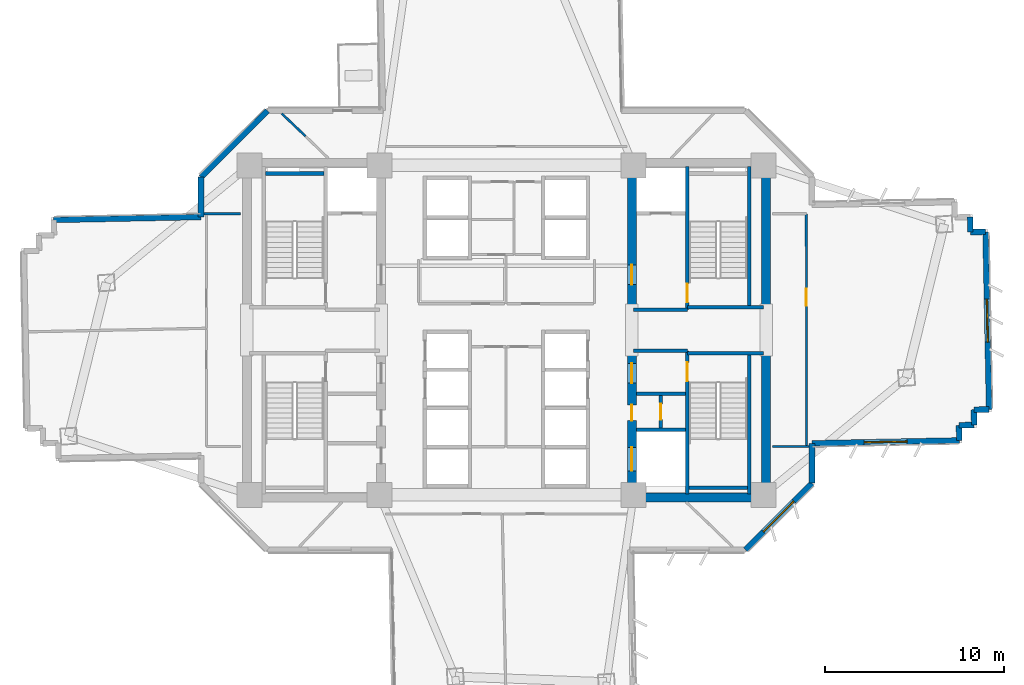
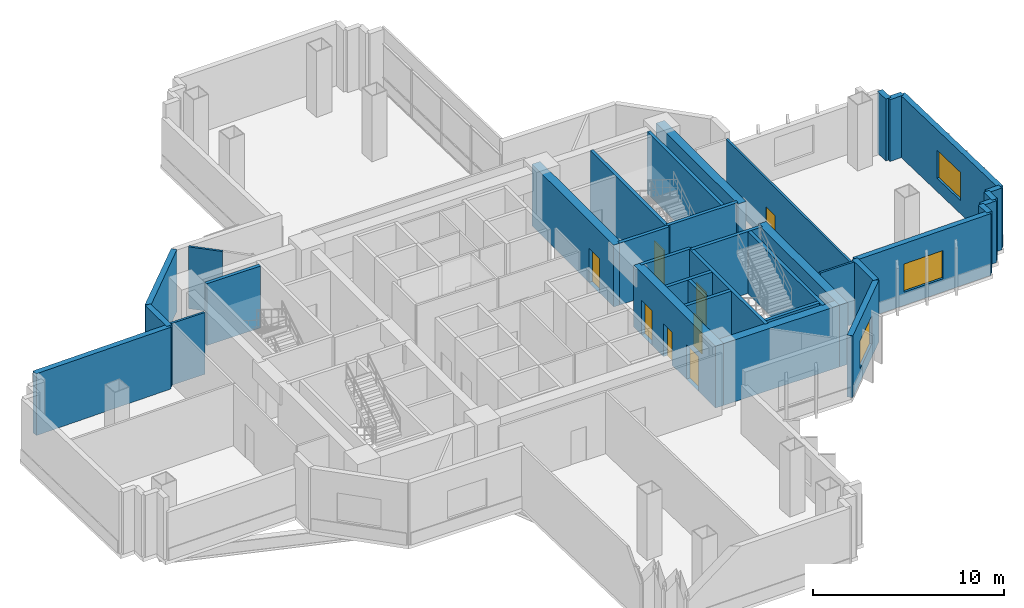
# One storey, part 8 of 15: 35 walls, 8 doors, 3 windows, 11 openings.
"""IFC4 building model written with IfcOpenShell, lengths in metres."""

from ifc_helpers import new_model, si_unit, direction, frame, frame_2d, origin, place, context, subcontext, project, spatial, rectangle, extrude, source, transform, mapped, material, layer, layer_set, type_object, element, fill, save


model = new_model("IFC4")

# Units and contexts
model_context = context("Model", 3, precision=1e-05, world=origin(), true_north=direction((0.0, 1.0)))
body_context = subcontext(model_context, "Body", "Model", "MODEL_VIEW")
ifc_project = project(units=[si_unit("LENGTHUNIT", "METRE"), si_unit("AREAUNIT", "SQUARE_METRE"), si_unit("VOLUMEUNIT", "CUBIC_METRE"), si_unit("PLANEANGLEUNIT", "RADIAN"), si_unit("MASSUNIT", "GRAM", prefix="KILO")], contexts=[model_context])

# Site, building, storey
site_placement = place(None, origin())
site = spatial("IfcSite", under=ifc_project, at=site_placement, CompositionType="ELEMENT")
building_placement = place(site_placement, origin())
building = spatial("IfcBuilding", under=site, at=building_placement, Name="Zahravan Cultural Tower", CompositionType="ELEMENT")
storey_placement = place(building_placement, frame((0.0, 0.0, 45.89990234375)))
storey = spatial("IfcBuildingStorey", under=building, at=storey_placement, Name="L09", CompositionType="ELEMENT", Elevation=45.89990234375)

# Wall, openings, doors
ifc_material_1 = material(Name="Concrete C60/75", Category="concrete")
ifc_layer_1 = layer(ifc_material_1, 0.5)
ifc_layer_set_1 = layer_set([ifc_layer_1], Name="Concrete C60/75")
wall_type_1 = type_object("IfcWallType", Name="CW-SHEAR-500-C60", PredefinedType="SHEAR", material=ifc_layer_set_1)
wall_1_placement = place(storey_placement, frame((43.0, 17.39990234375, 0.0), z_axis=(0.0, 0.0, 1.0), x_axis=(0.0, 1.0, 0.0)))
wall_1 = element("IfcWall", 1, at=wall_1_placement, inside=storey, type_object=wall_type_1, Name="L09 Core Shear Wall CW-E-WS-L09", PredefinedType="SHEAR", context=body_context, shape_type="SweptSolid", body=[
    extrude(rectangle(XDim=8.550048828125, YDim=0.5, at=frame_2d((4.27490234375, 0.0))), origin(), (0.0, 0.0, 1.0), 3.9501953125),
])
opening_1_placement = place(wall_1_placement, frame((6.64990234375, 0.0, 0.0)))
opening_1 = element("IfcOpeningElement", 2, at=opening_1_placement, cuts=wall_1, Name="Opening D-L09-08", PredefinedType="OPENING", context=body_context, shape_type="SweptSolid", body=[
    extrude(rectangle(XDim=1.10009765625, YDim=2.199951171875, at=frame_2d((0.550048828125, 1.10009765625))), frame((0.0, 0.260009765625, 0.0), z_axis=(0.0, -1.0, 0.0), x_axis=(1.0, 0.0, 0.0)), (0.0, 0.0, 1.0), 0.52001953125),
])
opening_2_placement = place(wall_1_placement, frame((1.75, 0.0, 0.0)))
opening_2 = element("IfcOpeningElement", 3, at=opening_2_placement, cuts=wall_1, Name="Opening LD-L09-03", PredefinedType="OPENING", context=body_context, shape_type="SweptSolid", body=[
    extrude(rectangle(XDim=1.300048828125, YDim=2.199951171875, at=frame_2d((0.64990234375, 1.10009765625))), frame((0.0, 0.260009765625, 0.0), z_axis=(0.0, -1.0, 0.0), x_axis=(1.0, 0.0, 0.0)), (0.0, 0.0, 1.0), 0.52001953125),
])
opening_3_placement = place(wall_1_placement, frame((4.550048828125, 0.0, 0.0)))
opening_3 = element("IfcOpeningElement", 4, at=opening_3_placement, cuts=wall_1, Name="Opening D-L09-11", PredefinedType="OPENING", context=body_context, shape_type="SweptSolid", body=[
    extrude(rectangle(XDim=0.8798828125, YDim=2.10009765625, at=frame_2d((0.43994140625, 1.050048828125))), frame((0.0, 0.260009765625, 0.0), z_axis=(0.0, -1.0, 0.0), x_axis=(1.0, 0.0, 0.0)), (0.0, 0.0, 1.0), 0.52001953125),
])
ifc_material_2 = material(Name="Steel ASTM A572 Grade 50", Category="steel")
door_type_1 = type_object("IfcDoorType", Name="DR-LOBBY-1100", OperationType="NOTDEFINED", PredefinedType="DOOR", material=ifc_material_2)
shared_shape_1 = source(origin(), body_context, "Body", "SweptSolid", [
    extrude(rectangle(XDim=1.10009765625, YDim=2.199951171875, at=frame_2d((0.550048828125, 1.10009765625))), frame((0.0, 0.02490234375, 0.0), z_axis=(0.0, -1.0, 0.0), x_axis=(1.0, 0.0, 0.0)), (0.0, 0.0, 1.0), 0.050048828125),
])
door_1_placement = place(opening_1_placement, origin())
door_1 = element("IfcDoor", 5, at=door_1_placement, inside=storey, type_object=door_type_1, Name="L09 Door D-L09-08", OperationType="SINGLE_SWING_RIGHT", OverallHeight=2.199951171875, OverallWidth=1.10009765625, PredefinedType="DOOR", context=body_context, shape_type="MappedRepresentation", body=[
    mapped(shared_shape_1, transform((0.0, 0.0, 0.0), x_axis=(1.0, 0.0, 0.0), y_axis=(0.0, 1.0, 0.0), z_axis=(0.0, 0.0, 1.0), scale=1.0)),
])
fill(opening_1, door_1)
door_type_2 = type_object("IfcDoorType", Name="DR-LIFT-1300", OperationType="DOUBLE_DOOR_SLIDING", PredefinedType="DOOR", material=ifc_material_2)
shared_shape_2 = source(origin(), body_context, "Body", "SweptSolid", [
    extrude(rectangle(XDim=1.300048828125, YDim=2.199951171875, at=frame_2d((0.64990234375, 1.10009765625))), frame((0.0, 0.02490234375, 0.0), z_axis=(0.0, -1.0, 0.0), x_axis=(1.0, 0.0, 0.0)), (0.0, 0.0, 1.0), 0.050048828125),
])
door_2_placement = place(opening_2_placement, origin())
door_2 = element("IfcDoor", 6, at=door_2_placement, inside=storey, type_object=door_type_2, Name="L09 Door LD-L09-03", OperationType="DOUBLE_DOOR_SLIDING", OverallHeight=2.199951171875, OverallWidth=1.300048828125, PredefinedType="DOOR", context=body_context, shape_type="MappedRepresentation", body=[
    mapped(shared_shape_2, transform((0.0, 0.0, 0.0), x_axis=(1.0, 0.0, 0.0), y_axis=(0.0, 1.0, 0.0), z_axis=(0.0, 0.0, 1.0), scale=1.0)),
])
fill(opening_2, door_2)
door_type_3 = type_object("IfcDoorType", Name="DR-SVC-880", OperationType="NOTDEFINED", PredefinedType="DOOR", material=ifc_material_2)
shared_shape_3 = source(origin(), body_context, "Body", "SweptSolid", [
    extrude(rectangle(XDim=0.8798828125, YDim=2.10009765625, at=frame_2d((0.43994140625, 1.050048828125))), frame((0.0, 0.02490234375, 0.0), z_axis=(0.0, -1.0, 0.0), x_axis=(1.0, 0.0, 0.0)), (0.0, 0.0, 1.0), 0.050048828125),
])
door_3_placement = place(opening_3_placement, origin())
door_3 = element("IfcDoor", 7, at=door_3_placement, inside=storey, type_object=door_type_3, Name="L09 Door D-L09-11", OperationType="SINGLE_SWING_LEFT", OverallHeight=2.10009765625, OverallWidth=0.8798828125, PredefinedType="DOOR", context=body_context, shape_type="MappedRepresentation", body=[
    mapped(shared_shape_3, transform((0.0, 0.0, 0.0), x_axis=(1.0, 0.0, 0.0), y_axis=(0.0, 1.0, 0.0), z_axis=(0.0, 0.0, 1.0), scale=1.0)),
])
fill(opening_3, door_3)

# Wall, opening, door
wall_2_placement = place(storey_placement, frame((43.0, 28.050048828125, 0.0), z_axis=(0.0, 0.0, 1.0), x_axis=(0.0, 1.0, 0.0)))
wall_2 = element("IfcWall", 8, at=wall_2_placement, inside=storey, type_object=wall_type_1, Name="L09 Core Shear Wall CW-E-WN-L09", PredefinedType="SHEAR", context=body_context, shape_type="SweptSolid", body=[
    extrude(rectangle(XDim=8.550048828125, YDim=0.5, at=frame_2d((4.27490234375, 0.0))), origin(), (0.0, 0.0, 1.0), 3.9501953125),
])
opening_4_placement = place(wall_2_placement, frame((1.5, 0.0, 0.0)))
opening_4 = element("IfcOpeningElement", 9, at=opening_4_placement, cuts=wall_2, Name="Opening D-L09-06", PredefinedType="OPENING", context=body_context, shape_type="SweptSolid", body=[
    extrude(rectangle(XDim=1.10009765625, YDim=2.199951171875, at=frame_2d((0.550048828125, 1.10009765625))), frame((0.0, 0.260009765625, 0.0), z_axis=(0.0, -1.0, 0.0), x_axis=(1.0, 0.0, 0.0)), (0.0, 0.0, 1.0), 0.52001953125),
])
door_4_placement = place(opening_4_placement, origin())
door_4 = element("IfcDoor", 10, at=door_4_placement, inside=storey, type_object=door_type_1, Name="L09 Door D-L09-06", OperationType="SINGLE_SWING_RIGHT", OverallHeight=2.199951171875, OverallWidth=1.10009765625, PredefinedType="DOOR", context=body_context, shape_type="MappedRepresentation", body=[
    mapped(shared_shape_1, transform((0.0, 0.0, 0.0), x_axis=(1.0, 0.0, 0.0), y_axis=(0.0, 1.0, 0.0), z_axis=(0.0, 0.0, 1.0), scale=1.0)),
])
fill(opening_4, door_4)

# Wall, opening, window
ifc_material_3 = material(Name="Precast concrete C40/50", Category="concrete")
ifc_layer_2 = layer(ifc_material_3, 0.320068359375)
ifc_layer_set_2 = layer_set([ifc_layer_2], Name="Precast concrete C40/50")
wall_type_2 = type_object("IfcWallType", Name="EW-TC-320", PredefinedType="SOLIDWALL", material=ifc_layer_set_2)
wall_3_placement = place(storey_placement, frame((62.756103515625, 32.493408203125, 0.0), z_axis=(0.0, 0.0, 1.0), x_axis=(0.019885787333, -0.99980225818, 0.0)))
wall_3 = element("IfcWall", 11, at=wall_3_placement, inside=storey, type_object=wall_type_2, Name="L09 Exterior Masonry Frame Wall 06", PredefinedType="SOLIDWALL", context=body_context, shape_type="SweptSolid", body=[
    extrude(rectangle(XDim=9.919921875, YDim=0.320068359375, at=frame_2d((4.9599609375, 0.0))), origin(), (0.0, 0.0, 1.0), 3.9501953125),
])
opening_5_placement = place(wall_3_placement, frame((3.760009765625, 0.0, 0.85009765625)))
opening_5 = element("IfcOpeningElement", 12, at=opening_5_placement, cuts=wall_3, Name="Opening WN-01", PredefinedType="OPENING", context=body_context, shape_type="SweptSolid", body=[
    extrude(rectangle(XDim=2.39990234375, YDim=1.800048828125, at=frame_2d((1.199951171875, 0.89990234375))), frame((0.0, 0.169921875, 0.0), z_axis=(0.0, -1.0, 0.0), x_axis=(1.0, 0.0, 0.0)), (0.0, 0.0, 1.0), 0.340087890625),
])
ifc_material_4 = material(Name="Low-E solar-control double glazing", Category="glass")
window_type = type_object("IfcWindowType", Name="WN-REC-2400X1800", PartitioningType="DOUBLE_PANEL_VERTICAL", PredefinedType="WINDOW", material=ifc_material_4)
shared_shape_4 = source(origin(), body_context, "Body", "SweptSolid", [
    extrude(rectangle(XDim=2.39990234375, YDim=1.800048828125, at=frame_2d((1.199951171875, 0.89990234375))), frame((0.0, 0.030029296875, 0.0), z_axis=(0.0, -1.0, 0.0), x_axis=(1.0, 0.0, 0.0)), (0.0, 0.0, 1.0), 0.06005859375),
])
window_1_placement = place(opening_5_placement, origin())
window_1 = element("IfcWindow", 13, at=window_1_placement, inside=storey, type_object=window_type, Name="L09 Recessed Solar Window 02", OverallHeight=1.800048828125, OverallWidth=2.39990234375, PartitioningType="DOUBLE_PANEL_VERTICAL", PredefinedType="WINDOW", context=body_context, shape_type="MappedRepresentation", body=[
    mapped(shared_shape_4, transform((0.0, 0.0, 0.0), x_axis=(1.0, 0.0, 0.0), y_axis=(0.0, 1.0, 0.0), z_axis=(0.0, 0.0, 1.0), scale=1.0)),
])
fill(opening_5, window_1)

wall_4_placement = place(storey_placement, frame((61.28759765625, 20.841796875, 0.0), z_axis=(0.0, 0.0, 1.0), x_axis=(-0.999801835372, -0.019907033577, 0.0)))
wall_4 = element("IfcWall", 14, at=wall_4_placement, inside=storey, type_object=wall_type_2, Name="L09 Exterior Masonry Frame Wall 11", PredefinedType="SOLIDWALL", context=body_context, shape_type="SweptSolid", body=[
    extrude(rectangle(XDim=8.229248046875, YDim=0.320068359375, at=frame_2d((4.11474609375, 0.0))), origin(), (0.0, 0.0, 1.0), 3.9501953125),
])
opening_6_placement = place(wall_4_placement, frame((2.9150390625, 0.0, 0.85009765625)))
opening_6 = element("IfcOpeningElement", 15, at=opening_6_placement, cuts=wall_4, Name="Opening WN-01", PredefinedType="OPENING", context=body_context, shape_type="SweptSolid", body=[
    extrude(rectangle(XDim=2.39990234375, YDim=1.800048828125, at=frame_2d((1.199951171875, 0.89990234375))), frame((0.0, 0.169921875, 0.0), z_axis=(0.0, -1.0, 0.0), x_axis=(1.0, 0.0, 0.0)), (0.0, 0.0, 1.0), 0.340087890625),
])
window_2_placement = place(opening_6_placement, origin())
window_2 = element("IfcWindow", 16, at=window_2_placement, inside=storey, type_object=window_type, Name="L09 Recessed Solar Window 03", OverallHeight=1.800048828125, OverallWidth=2.39990234375, PartitioningType="DOUBLE_PANEL_VERTICAL", PredefinedType="WINDOW", context=body_context, shape_type="MappedRepresentation", body=[
    mapped(shared_shape_4, transform((0.0, 0.0, 0.0), x_axis=(1.0, 0.0, 0.0), y_axis=(0.0, 1.0, 0.0), z_axis=(0.0, 0.0, 1.0), scale=1.0)),
])
fill(opening_6, window_2)

wall_5_placement = place(storey_placement, frame((53.06005859375, 18.4580078125, 0.0), z_axis=(0.0, 0.0, 1.0), x_axis=(-0.707106781187, -0.707106781187, 0.0)))
wall_5 = element("IfcWall", 17, at=wall_5_placement, inside=storey, type_object=wall_type_2, Name="L09 Exterior Masonry Frame Wall 13", PredefinedType="SOLIDWALL", context=body_context, shape_type="SweptSolid", body=[
    extrude(rectangle(XDim=5.258056640625, YDim=0.320068359375, at=frame_2d((2.62890625, 0.0))), origin(), (0.0, 0.0, 1.0), 3.9501953125),
])
opening_7_placement = place(wall_5_placement, frame((1.428955078125, 0.0, 0.85009765625)))
opening_7 = element("IfcOpeningElement", 18, at=opening_7_placement, cuts=wall_5, Name="Opening WN-01", PredefinedType="OPENING", context=body_context, shape_type="SweptSolid", body=[
    extrude(rectangle(XDim=2.39990234375, YDim=1.800048828125, at=frame_2d((1.199951171875, 0.89990234375))), frame((0.0, 0.169921875, 0.0), z_axis=(0.0, -1.0, 0.0), x_axis=(1.0, 0.0, 0.0)), (0.0, 0.0, 1.0), 0.340087890625),
])
window_3_placement = place(opening_7_placement, origin())
window_3 = element("IfcWindow", 19, at=window_3_placement, inside=storey, type_object=window_type, Name="L09 Recessed Solar Window 04", OverallHeight=1.800048828125, OverallWidth=2.39990234375, PartitioningType="DOUBLE_PANEL_VERTICAL", PredefinedType="WINDOW", context=body_context, shape_type="MappedRepresentation", body=[
    mapped(shared_shape_4, transform((0.0, 0.0, 0.0), x_axis=(1.0, 0.0, 0.0), y_axis=(0.0, 1.0, 0.0), z_axis=(0.0, 0.0, 1.0), scale=1.0)),
])
fill(opening_7, window_3)

# Wall, opening, door
ifc_material_5 = material(Name="Gypsum plasterboard partition")
ifc_layer_3 = layer(ifc_material_5, 0.179931640625)
ifc_layer_set_3 = layer_set([ifc_layer_3], Name="Gypsum plasterboard partition")
wall_type_3 = type_object("IfcWallType", Name="W-COMP-180", PredefinedType="PARTITIONING", material=ifc_layer_set_3)
wall_6_placement = place(storey_placement, frame((44.6201171875, 21.550048828125, 0.0), z_axis=(0.0, 0.0, 1.0), x_axis=(0.0, 1.0, 0.0)))
wall_6 = element("IfcWall", 20, at=wall_6_placement, inside=storey, type_object=wall_type_3, Name="L09 Interior Wall 027", PredefinedType="PARTITIONING", context=body_context, shape_type="SweptSolid", body=[
    extrude(rectangle(XDim=1.800048828125, YDim=0.179931640625, at=frame_2d((0.89990234375, 0.0))), origin(), (0.0, 0.0, 1.0), 3.9501953125),
])
opening_8_placement = place(wall_6_placement, frame((0.4599609375, 0.0, 0.0)))
opening_8 = element("IfcOpeningElement", 21, at=opening_8_placement, cuts=wall_6, Name="Opening D-L09-12", PredefinedType="OPENING", context=body_context, shape_type="SweptSolid", body=[
    extrude(rectangle(XDim=0.8798828125, YDim=2.10009765625, at=frame_2d((0.43994140625, 1.050048828125))), frame((0.0, 0.099853515625, 0.0), z_axis=(0.0, -1.0, 0.0), x_axis=(1.0, 0.0, 0.0)), (0.0, 0.0, 1.0), 0.199951171875),
])
door_5_placement = place(opening_8_placement, origin())
door_5 = element("IfcDoor", 22, at=door_5_placement, inside=storey, type_object=door_type_3, Name="L09 Door D-L09-12", OperationType="SINGLE_SWING_RIGHT", OverallHeight=2.10009765625, OverallWidth=0.8798828125, PredefinedType="DOOR", context=body_context, shape_type="MappedRepresentation", body=[
    mapped(shared_shape_3, transform((0.0, 0.0, 0.0), x_axis=(1.0, 0.0, 0.0), y_axis=(0.0, 1.0, 0.0), z_axis=(0.0, 0.0, 1.0), scale=1.0)),
])
fill(opening_8, door_5)

ifc_layer_4 = layer(ifc_material_5, 0.125)
ifc_layer_set_4 = layer_set([ifc_layer_4], Name="Gypsum plasterboard partition")
wall_type_4 = type_object("IfcWallType", Name="W-PART-125", PredefinedType="PARTITIONING", material=ifc_layer_set_4)
wall_7_placement = place(storey_placement, frame((52.75, 20.5673828125, 0.0), z_axis=(0.0, 0.0, 1.0), x_axis=(-0.000207700001, 0.99999997843, 0.0)))
wall_7 = element("IfcWall", 23, at=wall_7_placement, inside=storey, type_object=wall_type_4, Name="L09 Interior Wall 100", PredefinedType="PARTITIONING", context=body_context, shape_type="SweptSolid", body=[
    extrude(rectangle(XDim=12.929931640625, YDim=0.125, at=frame_2d((6.46484375, 0.0))), origin(), (0.0, 0.0, 1.0), 3.9501953125),
])
opening_9_placement = place(wall_7_placement, frame((7.786865234375, 0.0, 0.0)))
opening_9 = element("IfcOpeningElement", 24, at=opening_9_placement, cuts=wall_7, Name="Opening D-L09-19", PredefinedType="OPENING", context=body_context, shape_type="SweptSolid", body=[
    extrude(rectangle(XDim=0.949951171875, YDim=2.14990234375, at=frame_2d((0.47509765625, 1.074951171875))), frame((0.0, 0.072509765625, 0.0), z_axis=(0.0, -1.0, 0.0), x_axis=(1.0, 0.0, 0.0)), (0.0, 0.0, 1.0), 0.14501953125),
])
ifc_material_6 = material(Name="Anodised bronze-aluminium mullion", Category="aluminium")
door_type_4 = type_object("IfcDoorType", Name="DR-ROOM-950", OperationType="NOTDEFINED", PredefinedType="DOOR", material=ifc_material_6)
shared_shape_5 = source(origin(), body_context, "Body", "SweptSolid", [
    extrude(rectangle(XDim=0.949951171875, YDim=2.14990234375, at=frame_2d((0.47509765625, 1.074951171875))), frame((0.0, 0.02490234375, 0.0), z_axis=(0.0, -1.0, 0.0), x_axis=(1.0, 0.0, 0.0)), (0.0, 0.0, 1.0), 0.050048828125),
])
door_6_placement = place(opening_9_placement, origin())
door_6 = element("IfcDoor", 25, at=door_6_placement, inside=storey, type_object=door_type_4, Name="L09 Door D-L09-19", OperationType="SINGLE_SWING_LEFT", OverallHeight=2.14990234375, OverallWidth=0.949951171875, PredefinedType="DOOR", context=body_context, shape_type="MappedRepresentation", body=[
    mapped(shared_shape_5, transform((0.0, 0.0, 0.0), x_axis=(1.0, 0.0, 0.0), y_axis=(0.0, 1.0, 0.0), z_axis=(0.0, 0.0, 1.0), scale=1.0)),
])
fill(opening_9, door_6)

ifc_material_7 = material(Name="Concrete C45/55", Category="concrete")
ifc_layer_5 = layer(ifc_material_7, 0.199951171875)
ifc_layer_set_5 = layer_set([ifc_layer_5], Name="Concrete C45/55")
wall_type_5 = type_object("IfcWallType", Name="W-SHAFT-200", PredefinedType="SOLIDWALL", material=ifc_layer_set_5)
wall_8_placement = place(storey_placement, frame((46.10009765625, 17.85009765625, 0.0), z_axis=(0.0, 0.0, 1.0), x_axis=(0.0, 1.0, 0.0)))
wall_8 = element("IfcWall", 26, at=wall_8_placement, inside=storey, type_object=wall_type_5, Name="L09 Interior Wall 007", PredefinedType="SOLIDWALL", context=body_context, shape_type="SweptSolid", body=[
    extrude(rectangle(XDim=8.0, YDim=0.199951171875, at=frame_2d((4.0, 0.0))), origin(), (0.0, 0.0, 1.0), 3.9501953125),
])
opening_10_placement = place(wall_8_placement, frame((6.300048828125, 0.0, 0.0)))
opening_10 = element("IfcOpeningElement", 27, at=opening_10_placement, cuts=wall_8, Name="Opening D-L09-03", PredefinedType="OPENING", context=body_context, shape_type="SweptSolid", body=[
    extrude(rectangle(XDim=1.050048828125, YDim=2.14990234375, at=frame_2d((0.52490234375, 1.074951171875))), frame((0.0, 0.10986328125, 0.0), z_axis=(0.0, -1.0, 0.0), x_axis=(1.0, 0.0, 0.0)), (0.0, 0.0, 1.0), 0.219970703125),
])
door_type_5 = type_object("IfcDoorType", Name="DR-STAIR-1050", OperationType="NOTDEFINED", PredefinedType="DOOR", material=ifc_material_2)
shared_shape_6 = source(origin(), body_context, "Body", "SweptSolid", [
    extrude(rectangle(XDim=1.050048828125, YDim=2.14990234375, at=frame_2d((0.52490234375, 1.074951171875))), frame((0.0, 0.02490234375, 0.0), z_axis=(0.0, -1.0, 0.0), x_axis=(1.0, 0.0, 0.0)), (0.0, 0.0, 1.0), 0.050048828125),
])
door_7_placement = place(opening_10_placement, origin())
door_7 = element("IfcDoor", 28, at=door_7_placement, inside=storey, type_object=door_type_5, Name="L09 Door D-L09-03", OperationType="SINGLE_SWING_LEFT", OverallHeight=2.14990234375, OverallWidth=1.050048828125, PredefinedType="DOOR", context=body_context, shape_type="MappedRepresentation", body=[
    mapped(shared_shape_6, transform((0.0, 0.0, 0.0), x_axis=(1.0, 0.0, 0.0), y_axis=(0.0, 1.0, 0.0), z_axis=(0.0, 0.0, 1.0), scale=1.0)),
])
fill(opening_10, door_7)

wall_9_placement = place(storey_placement, frame((46.10009765625, 28.14990234375, 0.0), z_axis=(0.0, 0.0, 1.0), x_axis=(0.0, 1.0, 0.0)))
wall_9 = element("IfcWall", 29, at=wall_9_placement, inside=storey, type_object=wall_type_5, Name="L09 Interior Wall 008", PredefinedType="SOLIDWALL", context=body_context, shape_type="SweptSolid", body=[
    extrude(rectangle(XDim=8.0, YDim=0.199951171875, at=frame_2d((4.0, 0.0))), origin(), (0.0, 0.0, 1.0), 3.9501953125),
])
opening_11_placement = place(wall_9_placement, frame((0.39990234375, 0.0, 0.0)))
opening_11 = element("IfcOpeningElement", 30, at=opening_11_placement, cuts=wall_9, Name="Opening D-L09-02", PredefinedType="OPENING", context=body_context, shape_type="SweptSolid", body=[
    extrude(rectangle(XDim=1.050048828125, YDim=2.14990234375, at=frame_2d((0.52490234375, 1.074951171875))), frame((0.0, 0.10986328125, 0.0), z_axis=(0.0, -1.0, 0.0), x_axis=(1.0, 0.0, 0.0)), (0.0, 0.0, 1.0), 0.219970703125),
])
door_8_placement = place(opening_11_placement, origin())
door_8 = element("IfcDoor", 31, at=door_8_placement, inside=storey, type_object=door_type_5, Name="L09 Door D-L09-02", OperationType="SINGLE_SWING_RIGHT", OverallHeight=2.14990234375, OverallWidth=1.050048828125, PredefinedType="DOOR", context=body_context, shape_type="MappedRepresentation", body=[
    mapped(shared_shape_6, transform((0.0, 0.0, 0.0), x_axis=(1.0, 0.0, 0.0), y_axis=(0.0, 1.0, 0.0), z_axis=(0.0, 0.0, 1.0), scale=1.0)),
])
fill(opening_11, door_8)

# Walls
shared_shape_7 = source(origin(), body_context, "Body", "SweptSolid", [
    extrude(rectangle(XDim=8.550048828125, YDim=0.5, at=frame_2d((4.27490234375, 0.0))), origin(), (0.0, 0.0, 1.0), 3.9501953125),
])
for number, where, z_axis, x_axis, name in (
    (32, (50.5, 17.39990234375, 0.0), (0.0, 0.0, 1.0), (0.0, 1.0, 0.0), "L09 Core Shear Wall CW-E-ES-L09"),
    (33, (50.5, 28.050048828125, 0.0), (0.0, 0.0, 1.0), (0.0, 1.0, 0.0), "L09 Core Shear Wall CW-E-EN-L09"),
):
    element("IfcWall", number, at=place(storey_placement, frame(where, z_axis=z_axis, x_axis=x_axis)), inside=storey, type_object=wall_type_1, Name=name, PredefinedType="SHEAR", context=body_context, shape_type="MappedRepresentation", body=[
        mapped(shared_shape_7, transform((0.0, 0.0, 0.0), x_axis=(1.0, 0.0, 0.0), y_axis=(0.0, 1.0, 0.0), z_axis=(0.0, 0.0, 1.0), scale=1.0)),
    ])
shared_shape_8 = source(origin(), body_context, "Body", "SweptSolid", [
    extrude(rectangle(XDim=7.0, YDim=0.5, at=frame_2d((3.5, 0.0))), origin(), (0.0, 0.0, 1.0), 3.9501953125),
])
wall_10_placement = place(storey_placement, frame((43.25, 17.64990234375, 0.0), z_axis=(0.0, 0.0, 1.0), x_axis=(1.0, 0.0, 0.0)))
element("IfcWall", 34, at=wall_10_placement, inside=storey, type_object=wall_type_1, Name="L09 Core Shear Wall CW-E-S-L09", PredefinedType="SHEAR", context=body_context, shape_type="MappedRepresentation", body=[
    mapped(shared_shape_8, transform((0.0, 0.0, 0.0), x_axis=(1.0, 0.0, 0.0), y_axis=(0.0, 1.0, 0.0), z_axis=(0.0, 0.0, 1.0), scale=1.0)),
])
shared_shape_9 = source(origin(), body_context, "Body", "SweptSolid", [
    extrude(rectangle(XDim=0.85009765625, YDim=0.320068359375, at=frame_2d((0.425048828125, 0.0))), origin(), (0.0, 0.0, 1.0), 3.9501953125),
])
for number, where, z_axis, x_axis, name in (
    (35, (61.88916015625, 33.326416015625, 0.0), (0.0, 0.0, 1.0), (0.020105099409, -0.999797872061, 0.0), "L09 Exterior Masonry Frame Wall 04"),
    (36, (61.90625, 32.4765625, 0.0), (0.0, 0.0, 1.0), (0.999803604205, 0.019817997326, 0.0), "L09 Exterior Masonry Frame Wall 05"),
    (37, (62.953369140625, 22.575439453125, 0.0), (0.0, 0.0, 1.0), (-0.999803604205, -0.019817997326, 0.0), "L09 Exterior Masonry Frame Wall 07"),
    (38, (62.120361328125, 21.70849609375, 0.0), (0.0, 0.0, 1.0), (-0.999803604205, -0.019817997326, 0.0), "L09 Exterior Masonry Frame Wall 09"),
    (39, (61.2705078125, 21.691650390625, 0.0), (0.0, 0.0, 1.0), (0.020105099409, -0.999797872061, 0.0), "L09 Exterior Masonry Frame Wall 10"),
):
    element("IfcWall", number, at=place(storey_placement, frame(where, z_axis=z_axis, x_axis=x_axis)), inside=storey, type_object=wall_type_2, Name=name, PredefinedType="SOLIDWALL", context=body_context, shape_type="MappedRepresentation", body=[
        mapped(shared_shape_9, transform((0.0, 0.0, 0.0), x_axis=(1.0, 0.0, 0.0), y_axis=(0.0, 1.0, 0.0), z_axis=(0.0, 0.0, 1.0), scale=1.0)),
    ])
shared_shape_10 = source(origin(), body_context, "Body", "SweptSolid", [
    extrude(rectangle(XDim=0.850341796875, YDim=0.320068359375, at=frame_2d((0.42529296875, 0.0))), origin(), (0.0, 0.0, 1.0), 3.9501953125),
])
wall_11_placement = place(storey_placement, frame((62.103515625, 22.55859375, 0.0), z_axis=(0.0, 0.0, 1.0), x_axis=(0.019812308004, -0.999803716962, 0.0)))
element("IfcWall", 40, at=wall_11_placement, inside=storey, type_object=wall_type_2, Name="L09 Exterior Masonry Frame Wall 08", PredefinedType="SOLIDWALL", context=body_context, shape_type="MappedRepresentation", body=[
    mapped(shared_shape_10, transform((0.0, 0.0, 0.0), x_axis=(1.0, 0.0, 0.0), y_axis=(0.0, 1.0, 0.0), z_axis=(0.0, 0.0, 1.0), scale=1.0)),
])
shared_shape_11 = source(origin(), body_context, "Body", "SweptSolid", [
    extrude(rectangle(XDim=2.219970703125, YDim=0.320068359375, at=frame_2d((1.10986328125, 0.0))), origin(), (0.0, 0.0, 1.0), 3.9501953125),
])
for number, where, z_axis, x_axis, name in (
    (41, (53.06005859375, 20.677978515625, 0.0), (0.0, 0.0, 1.0), (0.0, -1.0, 0.0), "L09 Exterior Masonry Frame Wall 12"),
    (42, (18.93994140625, 33.322021484375, 0.0), (0.0, 0.0, 1.0), (0.0, 1.0, 0.0), "L09 Exterior Masonry Frame Wall 39"),
):
    element("IfcWall", number, at=place(storey_placement, frame(where, z_axis=z_axis, x_axis=x_axis)), inside=storey, type_object=wall_type_2, Name=name, PredefinedType="SOLIDWALL", context=body_context, shape_type="MappedRepresentation", body=[
        mapped(shared_shape_11, transform((0.0, 0.0, 0.0), x_axis=(1.0, 0.0, 0.0), y_axis=(0.0, 1.0, 0.0), z_axis=(0.0, 0.0, 1.0), scale=1.0)),
    ])
shared_shape_12 = source(origin(), body_context, "Body", "SweptSolid", [
    extrude(rectangle(XDim=8.229248046875, YDim=0.320068359375, at=frame_2d((4.11474609375, 0.0))), origin(), (0.0, 0.0, 1.0), 3.9501953125),
])
wall_12_placement = place(storey_placement, frame((10.71240234375, 33.158203125, 0.0), z_axis=(0.0, 0.0, 1.0), x_axis=(0.999801835372, 0.019907033577, 0.0)))
element("IfcWall", 43, at=wall_12_placement, inside=storey, type_object=wall_type_2, Name="L09 Exterior Masonry Frame Wall 38", PredefinedType="SOLIDWALL", context=body_context, shape_type="MappedRepresentation", body=[
    mapped(shared_shape_12, transform((0.0, 0.0, 0.0), x_axis=(1.0, 0.0, 0.0), y_axis=(0.0, 1.0, 0.0), z_axis=(0.0, 0.0, 1.0), scale=1.0)),
])
shared_shape_13 = source(origin(), body_context, "Body", "SweptSolid", [
    extrude(rectangle(XDim=5.258056640625, YDim=0.320068359375, at=frame_2d((2.62890625, 0.0))), origin(), (0.0, 0.0, 1.0), 3.9501953125),
])
wall_13_placement = place(storey_placement, frame((18.93994140625, 35.5419921875, 0.0), z_axis=(0.0, 0.0, 1.0), x_axis=(0.707106781187, 0.707106781187, 0.0)))
element("IfcWall", 44, at=wall_13_placement, inside=storey, type_object=wall_type_2, Name="L09 Exterior Masonry Frame Wall 40", PredefinedType="SOLIDWALL", context=body_context, shape_type="MappedRepresentation", body=[
    mapped(shared_shape_13, transform((0.0, 0.0, 0.0), x_axis=(1.0, 0.0, 0.0), y_axis=(0.0, 1.0, 0.0), z_axis=(0.0, 0.0, 1.0), scale=1.0)),
])
shared_shape_14 = source(origin(), body_context, "Body", "SweptSolid", [
    extrude(rectangle(XDim=7.869873046875, YDim=0.199951171875, at=frame_2d((3.93505859375, 0.0))), origin(), (0.0, 0.0, 1.0), 3.9501953125),
])
for number, where, z_axis, x_axis, name in (
    (45, (49.550048828125, 17.85009765625, 0.0), (0.0, 0.0, 1.0), (0.0, 1.0, 0.0), "L09 Interior Wall 003"),
    (46, (49.550048828125, 28.280029296875, 0.0), (0.0, 0.0, 1.0), (0.0, 1.0, 0.0), "L09 Interior Wall 004"),
):
    element("IfcWall", number, at=place(storey_placement, frame(where, z_axis=z_axis, x_axis=x_axis)), inside=storey, type_object=wall_type_5, Name=name, PredefinedType="SOLIDWALL", context=body_context, shape_type="MappedRepresentation", body=[
        mapped(shared_shape_14, transform((0.0, 0.0, 0.0), x_axis=(1.0, 0.0, 0.0), y_axis=(0.0, 1.0, 0.0), z_axis=(0.0, 0.0, 1.0), scale=1.0)),
    ])
shared_shape_15 = source(origin(), body_context, "Body", "SweptSolid", [
    extrude(rectangle(XDim=4.25, YDim=0.199951171875, at=frame_2d((2.125, 0.0))), origin(), (0.0, 0.0, 1.0), 3.9501953125),
])
for number, where, z_axis, x_axis, name in (
    (47, (46.10009765625, 25.715087890625, 0.0), (0.0, 0.0, 1.0), (1.0, 0.0, 0.0), "L09 Interior Wall 014"),
    (48, (46.10009765625, 28.284912109375, 0.0), (0.0, 0.0, 1.0), (1.0, 0.0, 0.0), "L09 Interior Wall 016"),
):
    element("IfcWall", number, at=place(storey_placement, frame(where, z_axis=z_axis, x_axis=x_axis)), inside=storey, type_object=wall_type_5, Name=name, PredefinedType="SOLIDWALL", context=body_context, shape_type="MappedRepresentation", body=[
        mapped(shared_shape_15, transform((0.0, 0.0, 0.0), x_axis=(1.0, 0.0, 0.0), y_axis=(0.0, 1.0, 0.0), z_axis=(0.0, 0.0, 1.0), scale=1.0)),
    ])
shared_shape_16 = source(origin(), body_context, "Body", "SweptSolid", [
    extrude(rectangle(XDim=3.0, YDim=0.199951171875, at=frame_2d((1.5, 0.0))), origin(), (0.0, 0.0, 1.0), 3.9501953125),
])
for number, where, z_axis, x_axis, name in (
    (49, (43.10009765625, 25.85009765625, 0.0), (0.0, 0.0, 1.0), (1.0, 0.0, 0.0), "L09 Interior Wall 013"),
    (50, (43.10009765625, 28.14990234375, 0.0), (0.0, 0.0, 1.0), (1.0, 0.0, 0.0), "L09 Interior Wall 015"),
):
    element("IfcWall", number, at=place(storey_placement, frame(where, z_axis=z_axis, x_axis=x_axis)), inside=storey, type_object=wall_type_5, Name=name, PredefinedType="SOLIDWALL", context=body_context, shape_type="MappedRepresentation", body=[
        mapped(shared_shape_16, transform((0.0, 0.0, 0.0), x_axis=(1.0, 0.0, 0.0), y_axis=(0.0, 1.0, 0.0), z_axis=(0.0, 0.0, 1.0), scale=1.0)),
    ])
shared_shape_17 = source(origin(), body_context, "Body", "SweptSolid", [
    extrude(rectangle(XDim=3.25, YDim=0.199951171875, at=frame_2d((1.625, 0.0))), origin(), (0.0, 0.0, 1.0), 3.9501953125),
])
for number, where, z_axis, x_axis, name in (
    (51, (22.550048828125, 35.75, 0.0), (0.0, 0.0, 1.0), (1.0, 0.0, 0.0), "L09 Interior Wall 017"),
    (52, (46.199951171875, 18.199951171875, 0.0), (0.0, 0.0, 1.0), (1.0, 0.0, 0.0), "L09 Interior Wall 020"),
):
    element("IfcWall", number, at=place(storey_placement, frame(where, z_axis=z_axis, x_axis=x_axis)), inside=storey, type_object=wall_type_5, Name=name, PredefinedType="SOLIDWALL", context=body_context, shape_type="MappedRepresentation", body=[
        mapped(shared_shape_17, transform((0.0, 0.0, 0.0), x_axis=(1.0, 0.0, 0.0), y_axis=(0.0, 1.0, 0.0), z_axis=(0.0, 0.0, 1.0), scale=1.0)),
    ])
shared_shape_18 = source(origin(), body_context, "Body", "SweptSolid", [
    extrude(rectangle(XDim=2.75, YDim=0.199951171875, at=frame_2d((1.375, 0.0))), origin(), (0.0, 0.0, 1.0), 3.9501953125),
])
for number, where, z_axis, x_axis, name in (
    (53, (43.25, 23.449951171875, 0.0), (0.0, 0.0, 1.0), (1.0, 0.0, 0.0), "L09 Interior Wall 024"),
    (54, (43.25, 21.449951171875, 0.0), (0.0, 0.0, 1.0), (1.0, 0.0, 0.0), "L09 Interior Wall 025"),
):
    element("IfcWall", number, at=place(storey_placement, frame(where, z_axis=z_axis, x_axis=x_axis)), inside=storey, type_object=wall_type_5, Name=name, PredefinedType="SOLIDWALL", context=body_context, shape_type="MappedRepresentation", body=[
        mapped(shared_shape_18, transform((0.0, 0.0, 0.0), x_axis=(1.0, 0.0, 0.0), y_axis=(0.0, 1.0, 0.0), z_axis=(0.0, 0.0, 1.0), scale=1.0)),
    ])
shared_shape_19 = source(origin(), body_context, "Body", "SweptSolid", [
    extrude(rectangle(XDim=1.82275390625, YDim=0.125, at=frame_2d((0.911376953125, 0.0))), origin(), (0.0, 0.0, 1.0), 3.9501953125),
])
wall_14_placement = place(storey_placement, frame((23.451904296875, 39.094970703125, 0.0), z_axis=(0.0, 0.0, 1.0), x_axis=(0.724303533388, -0.689481248129, 0.0)))
element("IfcWall", 55, at=wall_14_placement, inside=storey, type_object=wall_type_4, Name="L09 Interior Wall 087", PredefinedType="PARTITIONING", context=body_context, shape_type="MappedRepresentation", body=[
    mapped(shared_shape_19, transform((0.0, 0.0, 0.0), x_axis=(1.0, 0.0, 0.0), y_axis=(0.0, 1.0, 0.0), z_axis=(0.0, 0.0, 1.0), scale=1.0)),
])
shared_shape_20 = source(origin(), body_context, "Body", "SweptSolid", [
    extrude(rectangle(XDim=2.04931640625, YDim=0.125, at=frame_2d((1.024658203125, 0.0))), origin(), (0.0, 0.0, 1.0), 3.9501953125),
])
for number, where, z_axis, x_axis, name in (
    (56, (21.1494140625, 33.49658203125, 0.0), (0.0, 0.0, 1.0), (-0.999999992904, -0.000119132713, 0.0), "L09 Interior Wall 089"),
    (57, (50.8505859375, 20.50341796875, 0.0), (0.0, 0.0, 1.0), (0.999998403336, -0.001786987854, 0.0), "L09 Interior Wall 099"),
):
    element("IfcWall", number, at=place(storey_placement, frame(where, z_axis=z_axis, x_axis=x_axis)), inside=storey, type_object=wall_type_4, Name=name, PredefinedType="PARTITIONING", context=body_context, shape_type="MappedRepresentation", body=[
        mapped(shared_shape_20, transform((0.0, 0.0, 0.0), x_axis=(1.0, 0.0, 0.0), y_axis=(0.0, 1.0, 0.0), z_axis=(0.0, 0.0, 1.0), scale=1.0)),
    ])

save(model, "model.ifc")
